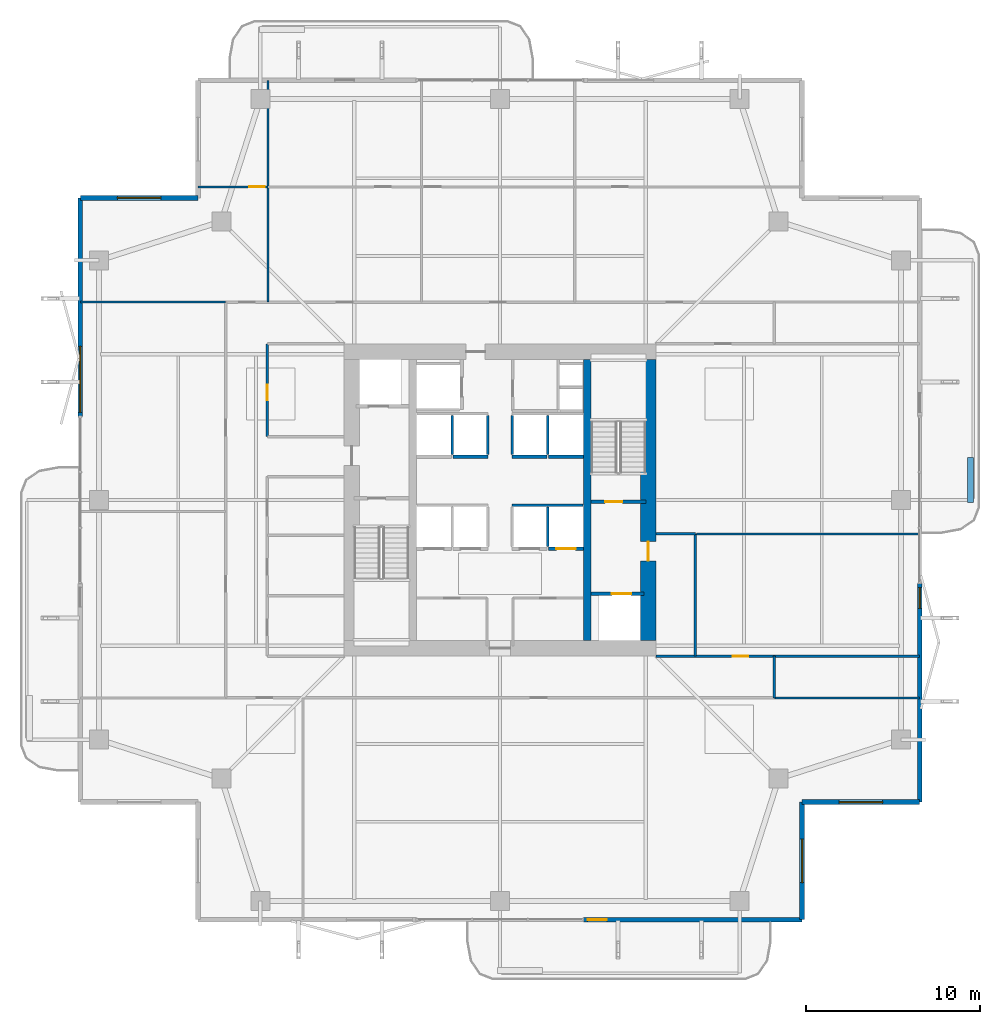
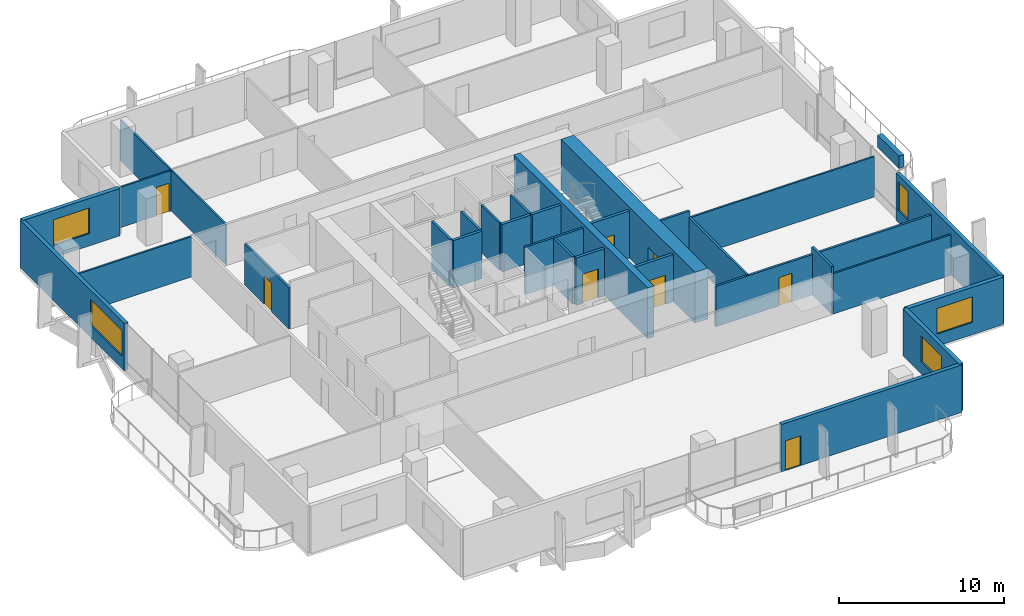
# One storey, part 19 of 24: 31 walls, 8 doors, 5 windows, 13 openings.
"""IFC4 building model written with IfcOpenShell, lengths in metres."""

from ifc_helpers import new_model, si_unit, direction, frame, frame_2d, origin, place, context, subcontext, project, spatial, rectangle, extrude, material, layer, layer_set, type_object, element, fill, save


model = new_model("IFC4")

# Units and contexts
model_context = context("Model", 3, precision=1e-05, world=origin(), true_north=direction((0.0, 1.0)))
body_context = subcontext(model_context, "Body", "Model", "MODEL_VIEW")
ifc_project = project(units=[si_unit("LENGTHUNIT", "METRE"), si_unit("AREAUNIT", "SQUARE_METRE"), si_unit("VOLUMEUNIT", "CUBIC_METRE"), si_unit("PLANEANGLEUNIT", "RADIAN"), si_unit("MASSUNIT", "GRAM", prefix="KILO")], contexts=[model_context])

# Site, building, storey
site_placement = place(None, origin())
site = spatial("IfcSite", under=ifc_project, at=site_placement, CompositionType="ELEMENT")
building_placement = place(site_placement, origin())
building = spatial("IfcBuilding", under=site, at=building_placement, Name="Belovzor Exchange Tower", CompositionType="ELEMENT")
storey_placement = place(building_placement, frame((0.0, 0.0, 145.800048828125)))
storey = spatial("IfcBuildingStorey", under=building, at=storey_placement, Name="L35", CompositionType="ELEMENT", Elevation=145.800048828125)

# Wall, opening, door
ifc_material_1 = material(Name="Acoustic Plasterboard on Galvanised Studs", Category="gypsum")
ifc_layer_1 = layer(ifc_material_1, 0.1201171875)
ifc_layer_set_1 = layer_set([ifc_layer_1], Name="Acoustic Plasterboard on Galvanised Studs")
wall_type_1 = type_object("IfcWallType", Name="Acoustic Double-Stud Partition Wall 120", PredefinedType="PARTITIONING", material=ifc_layer_set_1)
wall_1_placement = place(storey_placement, frame((11.39990234375, 46.833984375, 0.0), z_axis=(0.0, 0.0, 1.0), x_axis=(1.0, 0.0, 0.0)))
wall_1 = element("IfcWall", 1, at=wall_1_placement, inside=storey, type_object=wall_type_1, Name="W-P120 Partition Wall W-L35-NHDIV-0", PredefinedType="PARTITIONING", context=body_context, shape_type="SweptSolid", body=[
    extrude(rectangle(XDim=4.043212890625, YDim=0.1201171875, at=frame_2d((2.021484375, 0.0))), origin(), (0.0, 0.0, 1.0), 2.97998046875),
])
opening_1_placement = place(wall_1_placement, frame((2.943115234375, 0.0, 0.0)))
opening_1 = element("IfcOpeningElement", 2, at=opening_1_placement, cuts=wall_1, Name="Opening D-INT-090", PredefinedType="OPENING", context=body_context, shape_type="SweptSolid", body=[
    extrude(rectangle(XDim=0.89990234375, YDim=2.10009765625, at=frame_2d((0.449951171875, 1.050048828125))), frame((0.0, 0.070068359375, 0.0), z_axis=(0.0, -1.0, 0.0), x_axis=(1.0, 0.0, 0.0)), (0.0, 0.0, 1.0), 0.14013671875),
])
ifc_material_2 = material(Name="Veneered Hardwood Acoustic Leaf", Category="wood")
door_type_1 = type_object("IfcDoorType", Name="Trading Suite Acoustic Single Door 900x2100", OperationType="NOTDEFINED", PredefinedType="DOOR", material=ifc_material_2)
door_1_placement = place(opening_1_placement, origin())
door_1 = element("IfcDoor", 3, at=door_1_placement, inside=storey, type_object=door_type_1, Name="D-INT-090 Trading Suite Acoustic Single Door 900x2100", OperationType="SINGLE_SWING_RIGHT", OverallHeight=2.10009765625, OverallWidth=0.89990234375, PredefinedType="DOOR", context=body_context, shape_type="SweptSolid", body=[
    extrude(rectangle(XDim=0.89990234375, YDim=2.10009765625, at=frame_2d((0.449951171875, 1.050048828125))), frame((0.0, 0.02490234375, 0.0), z_axis=(0.0, -1.0, 0.0), x_axis=(1.0, 0.0, 0.0)), (0.0, 0.0, 1.0), 0.050048828125),
])
fill(opening_1, door_1)

# Walls
wall_2_placement = place(storey_placement, frame((15.443115234375, 40.199951171875, 0.0), z_axis=(0.0, 0.0, 1.0), x_axis=(0.0, 1.0, 0.0)))
element("IfcWall", 4, at=wall_2_placement, inside=storey, type_object=wall_type_1, Name="W-P120 Partition Wall W-L35-NDIV-1", PredefinedType="PARTITIONING", context=body_context, shape_type="SweptSolid", body=[
    extrude(rectangle(XDim=12.77001953125, YDim=0.1201171875, at=frame_2d((6.385009765625, 0.0))), origin(), (0.0, 0.0, 1.0), 2.97998046875),
])
wall_3_placement = place(storey_placement, frame((40.125, 26.85009765625, 0.0), z_axis=(0.0, 0.0, 1.0), x_axis=(1.0, 0.0, 0.0)))
element("IfcWall", 5, at=wall_3_placement, inside=storey, type_object=wall_type_1, Name="W-P120 Partition Wall W-L35-EDIV-1", PredefinedType="PARTITIONING", context=body_context, shape_type="SweptSolid", body=[
    extrude(rectangle(XDim=12.844970703125, YDim=0.1201171875, at=frame_2d((6.42236328125, 0.0))), origin(), (0.0, 0.0, 1.0), 2.97998046875),
])
wall_4_placement = place(storey_placement, frame((44.60009765625, 17.39990234375, 0.0), z_axis=(0.0, 0.0, 1.0), x_axis=(1.0, 0.0, 0.0)))
element("IfcWall", 6, at=wall_4_placement, inside=storey, type_object=wall_type_1, Name="W-P120 Partition Wall W-L35-END-SE", PredefinedType="PARTITIONING", context=body_context, shape_type="SweptSolid", body=[
    extrude(rectangle(XDim=8.369873046875, YDim=0.1201171875, at=frame_2d((4.18505859375, 0.0))), origin(), (0.0, 0.0, 1.0), 2.97998046875),
])
wall_5_placement = place(storey_placement, frame((4.6298828125, 40.199951171875, 0.0), z_axis=(0.0, 0.0, 1.0), x_axis=(1.0, 0.0, 0.0)))
element("IfcWall", 7, at=wall_5_placement, inside=storey, type_object=wall_type_1, Name="W-P120 Partition Wall W-L35-END-NW", PredefinedType="PARTITIONING", context=body_context, shape_type="SweptSolid", body=[
    extrude(rectangle(XDim=8.3701171875, YDim=0.1201171875, at=frame_2d((4.18505859375, 0.0))), origin(), (0.0, 0.0, 1.0), 2.97998046875),
])

# Wall, opening, door
ifc_material_3 = material(Name="Fire-Rated Gypsum Block and Mineral Wool", Category="gypsum")
ifc_layer_2 = layer(ifc_material_3, 0.14990234375)
ifc_layer_set_2 = layer_set([ifc_layer_2], Name="Fire-Rated Gypsum Block and Mineral Wool")
wall_type_2 = type_object("IfcWallType", Name="Fire-Rated Gypsum Block Corridor Wall 150", PredefinedType="PARTITIONING", material=ifc_layer_set_2)
wall_6_placement = place(storey_placement, frame((15.39990234375, 32.449951171875, 0.0), z_axis=(0.0, 0.0, 1.0), x_axis=(0.0, 1.0, 0.0)))
wall_6 = element("IfcWall", 8, at=wall_6_placement, inside=storey, type_object=wall_type_2, Name="W-P150 Partition Wall W-L35-WIE-N", PredefinedType="PARTITIONING", context=body_context, shape_type="SweptSolid", body=[
    extrude(rectangle(XDim=5.35009765625, YDim=0.14990234375, at=frame_2d((2.675048828125, 0.0))), origin(), (0.0, 0.0, 1.0), 3.030029296875),
])
opening_2_placement = place(wall_6_placement, frame((2.10009765625, 0.0, 0.0)))
opening_2 = element("IfcOpeningElement", 9, at=opening_2_placement, cuts=wall_6, Name="Opening D-FD60-090", PredefinedType="OPENING", context=body_context, shape_type="SweptSolid", body=[
    extrude(rectangle(XDim=0.89990234375, YDim=2.10009765625, at=frame_2d((0.449951171875, 1.050048828125))), frame((0.0, 0.0849609375, 0.0), z_axis=(0.0, -1.0, 0.0), x_axis=(1.0, 0.0, 0.0)), (0.0, 0.0, 1.0), 0.169921875),
])
ifc_material_4 = material(Name="Acoustic Timber Fire Leaf", Category="wood")
door_type_2 = type_object("IfcDoorType", Name="Core Service & Restroom Fire Door 900x2100", OperationType="NOTDEFINED", PredefinedType="DOOR", material=ifc_material_4)
door_2_placement = place(opening_2_placement, origin())
door_2 = element("IfcDoor", 10, at=door_2_placement, inside=storey, type_object=door_type_2, Name="D-FD60-090 Core Service & Restroom Fire Door 900x2100", OperationType="SINGLE_SWING_LEFT", OverallHeight=2.10009765625, OverallWidth=0.89990234375, PredefinedType="DOOR", context=body_context, shape_type="SweptSolid", body=[
    extrude(rectangle(XDim=0.89990234375, YDim=2.10009765625, at=frame_2d((0.449951171875, 1.050048828125))), frame((0.0, 0.02490234375, 0.0), z_axis=(0.0, -1.0, 0.0), x_axis=(1.0, 0.0, 0.0)), (0.0, 0.0, 1.0), 0.050048828125),
])
fill(opening_2, door_2)

# Walls
wall_7_placement = place(storey_placement, frame((37.800048828125, 26.85009765625, 0.0), z_axis=(0.0, 0.0, 1.0), x_axis=(1.0, 0.0, 0.0)))
element("IfcWall", 11, at=wall_7_placement, inside=storey, type_object=wall_type_2, Name="W-P150 Partition Wall W-L35-CFE-N", PredefinedType="PARTITIONING", context=body_context, shape_type="SweptSolid", body=[
    extrude(rectangle(XDim=2.25, YDim=0.14990234375, at=frame_2d((1.125, 0.0))), origin(), (0.0, 0.0, 1.0), 3.494873046875),
])
wall_8_placement = place(storey_placement, frame((40.050048828125, 19.800048828125, 0.0), z_axis=(0.0, 0.0, 1.0), x_axis=(0.0, 1.0, 0.0)))
element("IfcWall", 12, at=wall_8_placement, inside=storey, type_object=wall_type_2, Name="W-P150 Partition Wall W-L35-CFE-E", PredefinedType="PARTITIONING", context=body_context, shape_type="SweptSolid", body=[
    extrude(rectangle(XDim=7.050048828125, YDim=0.14990234375, at=frame_2d((3.52490234375, 0.0))), origin(), (0.0, 0.0, 1.0), 3.030029296875),
])
wall_9_placement = place(storey_placement, frame((44.60009765625, 17.39990234375, 0.0), z_axis=(0.0, 0.0, 1.0), x_axis=(0.0, 1.0, 0.0)))
element("IfcWall", 13, at=wall_9_placement, inside=storey, type_object=wall_type_2, Name="W-P150 Partition Wall W-L35-END-ES", PredefinedType="PARTITIONING", context=body_context, shape_type="SweptSolid", body=[
    extrude(rectangle(XDim=2.400146484375, YDim=0.14990234375, at=frame_2d((1.2001953125, 0.0))), origin(), (0.0, 0.0, 1.0), 3.494873046875),
])

# Wall, opening, door
wall_10_placement = place(storey_placement, frame((37.800048828125, 19.800048828125, 0.0), z_axis=(0.0, 0.0, 1.0), x_axis=(1.0, 0.0, 0.0)))
wall_10 = element("IfcWall", 14, at=wall_10_placement, inside=storey, type_object=wall_type_2, Name="W-P150 Partition Wall W-L35-CS-IN", PredefinedType="PARTITIONING", context=body_context, shape_type="SweptSolid", body=[
    extrude(rectangle(XDim=15.169921875, YDim=0.14990234375, at=frame_2d((7.5849609375, 0.0))), origin(), (0.0, 0.0, 1.0), 2.97998046875),
])
opening_3_placement = place(wall_10_placement, frame((4.39990234375, 0.0, 0.0)))
opening_3 = element("IfcOpeningElement", 15, at=opening_3_placement, cuts=wall_10, Name="Opening D-INT-090", PredefinedType="OPENING", context=body_context, shape_type="SweptSolid", body=[
    extrude(rectangle(XDim=0.89990234375, YDim=2.10009765625, at=frame_2d((0.449951171875, 1.050048828125))), frame((0.0, 0.0849609375, 0.0), z_axis=(0.0, -1.0, 0.0), x_axis=(1.0, 0.0, 0.0)), (0.0, 0.0, 1.0), 0.169921875),
])
door_3_placement = place(opening_3_placement, origin())
door_3 = element("IfcDoor", 16, at=door_3_placement, inside=storey, type_object=door_type_1, Name="D-INT-090 Trading Suite Acoustic Single Door 900x2100", OperationType="SINGLE_SWING_LEFT", OverallHeight=2.10009765625, OverallWidth=0.89990234375, PredefinedType="DOOR", context=body_context, shape_type="SweptSolid", body=[
    extrude(rectangle(XDim=0.89990234375, YDim=2.10009765625, at=frame_2d((0.449951171875, 1.050048828125))), frame((0.0, 0.02490234375, 0.0), z_axis=(0.0, -1.0, 0.0), x_axis=(1.0, 0.0, 0.0)), (0.0, 0.0, 1.0), 0.050048828125),
])
fill(opening_3, door_3)

# Wall, opening, window
ifc_material_5 = material(Name="Precast concrete C40/50", Category="concrete")
ifc_layer_3 = layer(ifc_material_5, 0.280029296875)
ifc_layer_set_3 = layer_set([ifc_layer_3], Name="Precast concrete C40/50")
wall_type_3 = type_object("IfcWallType", Name="Precast Concrete Notched Corner Frame Wall 280", PredefinedType="SOLIDWALL", material=ifc_layer_set_3)
wall_11_placement = place(storey_placement, frame((4.6298828125, 46.199951171875, 0.0), z_axis=(0.0, 0.0, 1.0), x_axis=(1.0, 0.0, 0.0)))
wall_11 = element("IfcWall", 17, at=wall_11_placement, inside=storey, type_object=wall_type_3, Name="W-CRN280 Precast Concrete Notched Corner Frame Wall 280 L35", PredefinedType="SOLIDWALL", context=body_context, shape_type="SweptSolid", body=[
    extrude(rectangle(XDim=6.77001953125, YDim=0.280029296875, at=frame_2d((3.385009765625, 0.0))), origin(), (0.0, 0.0, 1.0), 3.494873046875),
])
opening_4_placement = place(wall_11_placement, frame((2.135009765625, 0.0, 0.89990234375)))
opening_4 = element("IfcOpeningElement", 18, at=opening_4_placement, cuts=wall_11, Name="Opening WN-CRN250", PredefinedType="OPENING", context=body_context, shape_type="SweptSolid", body=[
    extrude(rectangle(XDim=2.5, YDim=1.89990234375, at=frame_2d((1.25, 0.949951171875))), frame((0.0, 0.14990234375, 0.0), z_axis=(0.0, -1.0, 0.0), x_axis=(1.0, 0.0, 0.0)), (0.0, 0.0, 1.0), 0.300048828125),
])
ifc_material_6 = material(Name="Thermally Broken Aluminium and Triple Glazing", Category="aluminium")
window_type_1 = type_object("IfcWindowType", Name="Streamline Moderne Corner Wrap Ribbon Window 2500x1900", PartitioningType="SINGLE_PANEL", PredefinedType="WINDOW", material=ifc_material_6)
window_1_placement = place(opening_4_placement, origin())
window_1 = element("IfcWindow", 19, at=window_1_placement, inside=storey, type_object=window_type_1, Name="WN-CRN250 Streamline Moderne Corner Wrap Ribbon Window 2500x1900", OverallHeight=1.89990234375, OverallWidth=2.5, PartitioningType="SINGLE_PANEL", PredefinedType="WINDOW", context=body_context, shape_type="SweptSolid", body=[
    extrude(rectangle(XDim=2.5, YDim=1.89990234375, at=frame_2d((1.25, 0.949951171875))), frame((0.0, 0.030029296875, 0.0), z_axis=(0.0, -1.0, 0.0), x_axis=(1.0, 0.0, 0.0)), (0.0, 0.0, 1.0), 0.06005859375),
])
fill(opening_4, window_1)

wall_12_placement = place(storey_placement, frame((52.969970703125, 11.39990234375, 0.0), z_axis=(0.0, 0.0, 1.0), x_axis=(-1.0, 0.0, 0.0)))
wall_12 = element("IfcWall", 20, at=wall_12_placement, inside=storey, type_object=wall_type_3, Name="W-CRN280 Precast Concrete Notched Corner Frame Wall 280 L35", PredefinedType="SOLIDWALL", context=body_context, shape_type="SweptSolid", body=[
    extrude(rectangle(XDim=6.77001953125, YDim=0.280029296875, at=frame_2d((3.385009765625, 0.0))), origin(), (0.0, 0.0, 1.0), 3.494873046875),
])
opening_5_placement = place(wall_12_placement, frame((2.135009765625, 0.0, 0.89990234375)))
opening_5 = element("IfcOpeningElement", 21, at=opening_5_placement, cuts=wall_12, Name="Opening WN-CRN250", PredefinedType="OPENING", context=body_context, shape_type="SweptSolid", body=[
    extrude(rectangle(XDim=2.5, YDim=1.89990234375, at=frame_2d((1.25, 0.949951171875))), frame((0.0, 0.14990234375, 0.0), z_axis=(0.0, -1.0, 0.0), x_axis=(1.0, 0.0, 0.0)), (0.0, 0.0, 1.0), 0.300048828125),
])
window_2_placement = place(opening_5_placement, origin())
window_2 = element("IfcWindow", 22, at=window_2_placement, inside=storey, type_object=window_type_1, Name="WN-CRN250 Streamline Moderne Corner Wrap Ribbon Window 2500x1900", OverallHeight=1.89990234375, OverallWidth=2.5, PartitioningType="SINGLE_PANEL", PredefinedType="WINDOW", context=body_context, shape_type="SweptSolid", body=[
    extrude(rectangle(XDim=2.5, YDim=1.89990234375, at=frame_2d((1.25, 0.949951171875))), frame((0.0, 0.030029296875, 0.0), z_axis=(0.0, -1.0, 0.0), x_axis=(1.0, 0.0, 0.0)), (0.0, 0.0, 1.0), 0.06005859375),
])
fill(opening_5, window_2)

wall_13_placement = place(storey_placement, frame((46.199951171875, 11.39990234375, 0.0), z_axis=(0.0, 0.0, 1.0), x_axis=(0.0, -1.0, 0.0)))
wall_13 = element("IfcWall", 23, at=wall_13_placement, inside=storey, type_object=wall_type_3, Name="W-CRN280 Precast Concrete Notched Corner Frame Wall 280 L35", PredefinedType="SOLIDWALL", context=body_context, shape_type="SweptSolid", body=[
    extrude(rectangle(XDim=6.77001953125, YDim=0.280029296875, at=frame_2d((3.385009765625, 0.0))), origin(), (0.0, 0.0, 1.0), 3.494873046875),
])
opening_6_placement = place(wall_13_placement, frame((2.135009765625, 0.0, 0.89990234375)))
opening_6 = element("IfcOpeningElement", 24, at=opening_6_placement, cuts=wall_13, Name="Opening WN-CRN250", PredefinedType="OPENING", context=body_context, shape_type="SweptSolid", body=[
    extrude(rectangle(XDim=2.5, YDim=1.89990234375, at=frame_2d((1.25, 0.949951171875))), frame((0.0, 0.14990234375, 0.0), z_axis=(0.0, -1.0, 0.0), x_axis=(1.0, 0.0, 0.0)), (0.0, 0.0, 1.0), 0.300048828125),
])
window_3_placement = place(opening_6_placement, origin())
window_3 = element("IfcWindow", 25, at=window_3_placement, inside=storey, type_object=window_type_1, Name="WN-CRN250 Streamline Moderne Corner Wrap Ribbon Window 2500x1900", OverallHeight=1.89990234375, OverallWidth=2.5, PartitioningType="SINGLE_PANEL", PredefinedType="WINDOW", context=body_context, shape_type="SweptSolid", body=[
    extrude(rectangle(XDim=2.5, YDim=1.89990234375, at=frame_2d((1.25, 0.949951171875))), frame((0.0, 0.030029296875, 0.0), z_axis=(0.0, -1.0, 0.0), x_axis=(1.0, 0.0, 0.0)), (0.0, 0.0, 1.0), 0.06005859375),
])
fill(opening_6, window_3)

# Wall, opening, door
ifc_material_7 = material(Name="Precast concrete C40/50", Category="concrete")
ifc_layer_4 = layer(ifc_material_7, 0.260009765625)
ifc_layer_set_4 = layer_set([ifc_layer_4], Name="Precast concrete C40/50")
wall_type_4 = type_object("IfcWallType", Name="Precast Concrete Perimeter Loggia Frame Wall 260", PredefinedType="SOLIDWALL", material=ifc_layer_set_4)
wall_14_placement = place(storey_placement, frame((46.199951171875, 4.6298828125, 0.0), z_axis=(0.0, 0.0, 1.0), x_axis=(-1.0, 0.0, 0.0)))
wall_14 = element("IfcWall", 26, at=wall_14_placement, inside=storey, type_object=wall_type_4, Name="W-EXT260 Precast Concrete Perimeter Loggia Frame Wall 260 L35", PredefinedType="SOLIDWALL", context=body_context, shape_type="SweptSolid", body=[
    extrude(rectangle(XDim=12.599853515625, YDim=0.260009765625, at=frame_2d((6.2998046875, 0.0))), origin(), (0.0, 0.0, 1.0), 3.494873046875),
])
opening_7_placement = place(wall_14_placement, frame((11.25, 0.0, 0.0)))
opening_7 = element("IfcOpeningElement", 27, at=opening_7_placement, cuts=wall_14, Name="Opening D-BAL110", PredefinedType="OPENING", context=body_context, shape_type="SweptSolid", body=[
    extrude(rectangle(XDim=1.10009765625, YDim=2.199951171875, at=frame_2d((0.550048828125, 1.10009765625))), frame((0.0, 0.139892578125, 0.0), z_axis=(0.0, -1.0, 0.0), x_axis=(1.0, 0.0, 0.0)), (0.0, 0.0, 1.0), 0.280029296875),
])
ifc_material_8 = material(Name="Thermally Broken Anodised Aluminium and Laminated Glass", Category="aluminium")
door_type_3 = type_object("IfcDoorType", Name="Planted Loggia Terrace Glazed Door 1100x2200", OperationType="SINGLE_SWING_LEFT", PredefinedType="DOOR", material=ifc_material_8)
door_4_placement = place(opening_7_placement, origin())
door_4 = element("IfcDoor", 28, at=door_4_placement, inside=storey, type_object=door_type_3, Name="D-BAL110 Balcony Terrace Door L35 S", OperationType="SINGLE_SWING_LEFT", OverallHeight=2.199951171875, OverallWidth=1.10009765625, PredefinedType="DOOR", context=body_context, shape_type="SweptSolid", body=[
    extrude(rectangle(XDim=1.10009765625, YDim=2.199951171875, at=frame_2d((0.550048828125, 1.10009765625))), frame((0.0, 0.02490234375, 0.0), z_axis=(0.0, -1.0, 0.0), x_axis=(1.0, 0.0, 0.0)), (0.0, 0.0, 1.0), 0.050048828125),
])
fill(opening_7, door_4)

# Wall, opening, window
wall_15_placement = place(storey_placement, frame((4.6298828125, 33.60009765625, 0.0), z_axis=(0.0, 0.0, 1.0), x_axis=(0.0, 1.0, 0.0)))
wall_15 = element("IfcWall", 29, at=wall_15_placement, inside=storey, type_object=wall_type_4, Name="W-EXT260 Precast Concrete Perimeter Loggia Frame Wall 260 L35", PredefinedType="SOLIDWALL", context=body_context, shape_type="SweptSolid", body=[
    extrude(rectangle(XDim=12.599853515625, YDim=0.260009765625, at=frame_2d((6.2998046875, 0.0))), origin(), (0.0, 0.0, 1.0), 3.494873046875),
])
opening_8_placement = place(wall_15_placement, frame((0.25, 0.0, 0.89990234375)))
opening_8 = element("IfcOpeningElement", 30, at=opening_8_placement, cuts=wall_15, Name="Opening WN-RIB380", PredefinedType="OPENING", context=body_context, shape_type="SweptSolid", body=[
    extrude(rectangle(XDim=3.800048828125, YDim=1.89990234375, at=frame_2d((1.89990234375, 0.949951171875))), frame((0.0, 0.139892578125, 0.0), z_axis=(0.0, -1.0, 0.0), x_axis=(1.0, 0.0, 0.0)), (0.0, 0.0, 1.0), 0.280029296875),
])
ifc_material_9 = material(Name="Thermally Broken Aluminium and Triple Glazing", Category="aluminium")
window_type_2 = type_object("IfcWindowType", Name="Streamline Moderne Horizontal Ribbon Window 3800x1900", PartitioningType="SINGLE_PANEL", PredefinedType="WINDOW", material=ifc_material_9)
window_4_placement = place(opening_8_placement, origin())
window_4 = element("IfcWindow", 31, at=window_4_placement, inside=storey, type_object=window_type_2, Name="WN-RIB380 Streamline Moderne Horizontal Ribbon Window 3800x1900", OverallHeight=1.89990234375, OverallWidth=3.800048828125, PartitioningType="SINGLE_PANEL", PredefinedType="WINDOW", context=body_context, shape_type="SweptSolid", body=[
    extrude(rectangle(XDim=3.800048828125, YDim=1.89990234375, at=frame_2d((1.89990234375, 0.949951171875))), frame((0.0, 0.030029296875, 0.0), z_axis=(0.0, -1.0, 0.0), x_axis=(1.0, 0.0, 0.0)), (0.0, 0.0, 1.0), 0.06005859375),
])
fill(opening_8, window_4)

wall_16_placement = place(storey_placement, frame((52.969970703125, 24.0, 0.0), z_axis=(0.0, 0.0, 1.0), x_axis=(0.0, -1.0, 0.0)))
wall_16 = element("IfcWall", 32, at=wall_16_placement, inside=storey, type_object=wall_type_4, Name="W-EXT260 Precast Concrete Perimeter Loggia Frame Wall 260 L35", PredefinedType="SOLIDWALL", context=body_context, shape_type="SweptSolid", body=[
    extrude(rectangle(XDim=12.60009765625, YDim=0.260009765625, at=frame_2d((6.300048828125, 0.0))), origin(), (0.0, 0.0, 1.0), 3.494873046875),
])
opening_9_placement = place(wall_16_placement, frame((0.25, 0.0, 0.89990234375)))
opening_9 = element("IfcOpeningElement", 33, at=opening_9_placement, cuts=wall_16, Name="Opening WN-CRN120", PredefinedType="OPENING", context=body_context, shape_type="SweptSolid", body=[
    extrude(rectangle(XDim=1.199951171875, YDim=2.10009765625, at=frame_2d((0.60009765625, 1.050048828125))), frame((0.0, 0.139892578125, 0.0), z_axis=(0.0, -1.0, 0.0), x_axis=(1.0, 0.0, 0.0)), (0.0, 0.0, 1.0), 0.280029296875),
])
ifc_material_10 = material(Name="Thermally Broken Aluminium and Triple Glazing", Category="aluminium")
window_type_3 = type_object("IfcWindowType", Name="Streamline Notched Corner Window 1200x2100", PartitioningType="SINGLE_PANEL", PredefinedType="WINDOW", material=ifc_material_10)
window_5_placement = place(opening_9_placement, origin())
window_5 = element("IfcWindow", 34, at=window_5_placement, inside=storey, type_object=window_type_3, Name="WN-CRN120 Streamline Notched Corner Window 1200x2100", OverallHeight=2.10009765625, OverallWidth=1.199951171875, PartitioningType="SINGLE_PANEL", PredefinedType="WINDOW", context=body_context, shape_type="SweptSolid", body=[
    extrude(rectangle(XDim=1.199951171875, YDim=2.10009765625, at=frame_2d((0.60009765625, 1.050048828125))), frame((0.0, 0.030029296875, 0.0), z_axis=(0.0, -1.0, 0.0), x_axis=(1.0, 0.0, 0.0)), (0.0, 0.0, 1.0), 0.06005859375),
])
fill(opening_9, window_5)

# Walls
ifc_material_11 = material(Name="Precast concrete C40/50", Category="concrete")
ifc_layer_5 = layer(ifc_material_11, 0.35009765625)
ifc_layer_set_5 = layer_set([ifc_layer_5], Name="Precast concrete C40/50")
wall_type_5 = type_object("IfcWallType", Name="Precast Concrete Structural Tree Planter Trough 350", PredefinedType="PARAPET", material=ifc_layer_set_5)
wall_17_placement = place(storey_placement, frame((55.89990234375, 28.64990234375, 0.0), z_axis=(0.0, 0.0, 1.0), x_axis=(0.0, 1.0, 0.0)))
element("IfcWall", 35, at=wall_17_placement, inside=storey, type_object=wall_type_5, Name="PT-350 Precast Concrete Structural Tree Planter Trough 350 L35", PredefinedType="PARAPET", context=body_context, shape_type="SweptSolid", body=[
    extrude(rectangle(XDim=2.60009765625, YDim=0.35009765625, at=frame_2d((1.300048828125, 0.0))), origin(), (0.0, 0.0, 1.0), 0.89990234375),
])
ifc_material_12 = material(Name="Concrete C50/60", Category="concrete")
ifc_layer_6 = layer(ifc_material_12, 0.449951171875)
ifc_layer_set_6 = layer_set([ifc_layer_6], Name="Concrete C50/60")
wall_type_6 = type_object("IfcWallType", Name="Reinforced Concrete Core Internal Web Wall 450", PredefinedType="SHEAR", material=ifc_layer_set_6)
wall_18_placement = place(storey_placement, frame((33.824951171875, 20.699951171875, 0.0), z_axis=(0.0, 0.0, 1.0), x_axis=(0.0, 1.0, 0.0)))
element("IfcWall", 36, at=wall_18_placement, inside=storey, type_object=wall_type_6, Name="CW-W045 Core Internal Web Wall L35 ER", PredefinedType="SHEAR", context=body_context, shape_type="SweptSolid", body=[
    extrude(rectangle(XDim=16.199951171875, YDim=0.449951171875, at=frame_2d((8.10009765625, 0.0))), origin(), (0.0, 0.0, 1.0), 3.75),
])
ifc_material_13 = material(Name="Concrete C50/60", Category="concrete")
ifc_layer_7 = layer(ifc_material_13, 0.14990234375)
ifc_layer_set_7 = layer_set([ifc_layer_7], Name="Concrete C50/60")
wall_type_7 = type_object("IfcWallType", Name="Reinforced Concrete Core Riser Shear Wall 150", PredefinedType="SHEAR", material=ifc_layer_set_7)
wall_19_placement = place(storey_placement, frame((29.5, 28.5, 0.0), z_axis=(0.0, 0.0, 1.0), x_axis=(1.0, 0.0, 0.0)))
element("IfcWall", 37, at=wall_19_placement, inside=storey, type_object=wall_type_7, Name="W-C150S Core Shaft Wall W-SHB-L35-PLM-NE", PredefinedType="SHEAR", context=body_context, shape_type="SweptSolid", body=[
    extrude(rectangle(XDim=4.080078125, YDim=0.14990234375, at=frame_2d((2.0400390625, 0.0))), origin(), (0.0, 0.0, 1.0), 3.494873046875),
])
wall_20_placement = place(storey_placement, frame((31.550048828125, 26.1201171875, 0.0), z_axis=(0.0, 0.0, 1.0), x_axis=(0.0, 1.0, 0.0)))
element("IfcWall", 38, at=wall_20_placement, inside=storey, type_object=wall_type_7, Name="W-C150S Core Shaft Wall W-SHD-L35-PLM-4", PredefinedType="SHEAR", context=body_context, shape_type="SweptSolid", body=[
    extrude(rectangle(XDim=2.27978515625, YDim=0.14990234375, at=frame_2d((1.139892578125, 0.0))), origin(), (0.0, 0.0, 1.0), 3.494873046875),
])
for number, where, z_axis, x_axis, name in (
    (39, (26.050048828125, 31.419921875, 0.0), (0.0, 0.0, 1.0), (0.0, 1.0, 0.0), "W-C150S Core Shaft Wall W-SHD-L35-PLH-1"),
    (40, (28.10009765625, 31.419921875, 0.0), (0.0, 0.0, 1.0), (0.0, 1.0, 0.0), "W-C150S Core Shaft Wall W-SHD-L35-PLH-2"),
    (41, (29.5, 31.419921875, 0.0), (0.0, 0.0, 1.0), (0.0, 1.0, 0.0), "W-C150S Core Shaft Wall W-SHD-L35-PLH-3"),
    (42, (31.550048828125, 31.419921875, 0.0), (0.0, 0.0, 1.0), (0.0, 1.0, 0.0), "W-C150S Core Shaft Wall W-SHD-L35-PLH-4"),
):
    element("IfcWall", number, at=place(storey_placement, frame(where, z_axis=z_axis, x_axis=x_axis)), inside=storey, type_object=wall_type_7, Name=name, PredefinedType="SHEAR", context=body_context, shape_type="SweptSolid", body=[
        extrude(rectangle(XDim=2.239990234375, YDim=0.14990234375, at=frame_2d((1.1201171875, 0.0))), origin(), (0.0, 0.0, 1.0), 3.494873046875),
    ])

# Wall, opening, door
ifc_material_14 = material(Name="Concrete C50/60", Category="concrete")
ifc_layer_8 = layer(ifc_material_14, 0.199951171875)
ifc_layer_set_8 = layer_set([ifc_layer_8], Name="Concrete C50/60")
wall_type_8 = type_object("IfcWallType", Name="Reinforced Concrete Core Shaft Shear Wall 200", PredefinedType="SHEAR", material=ifc_layer_set_8)
wall_21_placement = place(storey_placement, frame((34.050048828125, 28.699951171875, 0.0), z_axis=(0.0, 0.0, 1.0), x_axis=(1.0, 0.0, 0.0)))
wall_21 = element("IfcWall", 43, at=wall_21_placement, inside=storey, type_object=wall_type_8, Name="W-C200S Core Shaft Wall W-CORE-L35-FFLE2", PredefinedType="SHEAR", context=body_context, shape_type="SweptSolid", body=[
    extrude(rectangle(XDim=3.14990234375, YDim=0.199951171875, at=frame_2d((1.574951171875, 0.0))), origin(), (0.0, 0.0, 1.0), 3.494873046875),
])
opening_10_placement = place(wall_21_placement, frame((0.800048828125, 0.0, 0.0)))
opening_10 = element("IfcOpeningElement", 44, at=opening_10_placement, cuts=wall_21, Name="Opening D-FD90-100", PredefinedType="OPENING", context=body_context, shape_type="SweptSolid", body=[
    extrude(rectangle(XDim=1.0, YDim=2.10009765625, at=frame_2d((0.5, 1.050048828125))), frame((0.0, 0.10986328125, 0.0), z_axis=(0.0, -1.0, 0.0), x_axis=(1.0, 0.0, 0.0)), (0.0, 0.0, 1.0), 0.219970703125),
])
ifc_material_15 = material(Name="Fire-Rated Galvanised Steel Leaf", Category="steel")
door_type_4 = type_object("IfcDoorType", Name="Protected Stairwell Single Fire Door 1000x2100", OperationType="NOTDEFINED", PredefinedType="DOOR", material=ifc_material_15)
door_5_placement = place(opening_10_placement, origin())
door_5 = element("IfcDoor", 45, at=door_5_placement, inside=storey, type_object=door_type_4, Name="D-FD90-100 Protected Stairwell Single Fire Door 1000x2100", OperationType="SINGLE_SWING_LEFT", OverallHeight=2.10009765625, OverallWidth=1.0, PredefinedType="DOOR", context=body_context, shape_type="SweptSolid", body=[
    extrude(rectangle(XDim=1.0, YDim=2.10009765625, at=frame_2d((0.5, 1.050048828125))), frame((0.0, 0.02490234375, 0.0), z_axis=(0.0, -1.0, 0.0), x_axis=(1.0, 0.0, 0.0)), (0.0, 0.0, 1.0), 0.050048828125),
])
fill(opening_10, door_5)

wall_22_placement = place(storey_placement, frame((34.050048828125, 23.39990234375, 0.0), z_axis=(0.0, 0.0, 1.0), x_axis=(1.0, 0.0, 0.0)))
wall_22 = element("IfcWall", 46, at=wall_22_placement, inside=storey, type_object=wall_type_8, Name="W-C200S Core Shaft Wall W-SH-L35-FFL-02", PredefinedType="SHEAR", context=body_context, shape_type="SweptSolid", body=[
    extrude(rectangle(XDim=3.050048828125, YDim=0.199951171875, at=frame_2d((1.52490234375, 0.0))), origin(), (0.0, 0.0, 1.0), 3.494873046875),
])
opening_11_placement = place(wall_22_placement, frame((1.199951171875, 0.0, 0.0)))
opening_11 = element("IfcOpeningElement", 47, at=opening_11_placement, cuts=wall_22, Name="Opening LD-110", PredefinedType="OPENING", context=body_context, shape_type="SweptSolid", body=[
    extrude(rectangle(XDim=1.10009765625, YDim=2.14990234375, at=frame_2d((0.550048828125, 1.074951171875))), frame((0.0, 0.10986328125, 0.0), z_axis=(0.0, -1.0, 0.0), x_axis=(1.0, 0.0, 0.0)), (0.0, 0.0, 1.0), 0.219970703125),
])
ifc_material_16 = material(Name="Stainless Steel Grade 304", Category="steel")
door_type_5 = type_object("IfcDoorType", Name="Automated Stainless Steel Lift Landing Door 1100x2150", OperationType="SLIDING_TO_RIGHT", PredefinedType="DOOR", material=ifc_material_16)
door_6_placement = place(opening_11_placement, origin())
door_6 = element("IfcDoor", 48, at=door_6_placement, inside=storey, type_object=door_type_5, Name="LD-110 Automated Stainless Steel Lift Landing Door 1100x2150", OperationType="SLIDING_TO_RIGHT", OverallHeight=2.14990234375, OverallWidth=1.10009765625, PredefinedType="DOOR", context=body_context, shape_type="SweptSolid", body=[
    extrude(rectangle(XDim=1.10009765625, YDim=2.14990234375, at=frame_2d((0.550048828125, 1.074951171875))), frame((0.0, 0.02490234375, 0.0), z_axis=(0.0, -1.0, 0.0), x_axis=(1.0, 0.0, 0.0)), (0.0, 0.0, 1.0), 0.050048828125),
])
fill(opening_11, door_6)

wall_23_placement = place(storey_placement, frame((31.60009765625, 26.0, 0.0), z_axis=(0.0, 0.0, 1.0), x_axis=(1.0, 0.0, 0.0)))
wall_23 = element("IfcWall", 49, at=wall_23_placement, inside=storey, type_object=wall_type_8, Name="W-C200S Core Shaft Wall W-SH-L35-PL-M4", PredefinedType="SHEAR", context=body_context, shape_type="SweptSolid", body=[
    extrude(rectangle(XDim=2.0, YDim=0.199951171875, at=frame_2d((1.0, 0.0))), origin(), (0.0, 0.0, 1.0), 3.494873046875),
])
opening_12_placement = place(wall_23_placement, frame((0.449951171875, 0.0, 0.0)))
opening_12 = element("IfcOpeningElement", 50, at=opening_12_placement, cuts=wall_23, Name="Opening LD-110", PredefinedType="OPENING", context=body_context, shape_type="SweptSolid", body=[
    extrude(rectangle(XDim=1.10009765625, YDim=2.14990234375, at=frame_2d((0.550048828125, 1.074951171875))), frame((0.0, 0.10986328125, 0.0), z_axis=(0.0, -1.0, 0.0), x_axis=(1.0, 0.0, 0.0)), (0.0, 0.0, 1.0), 0.219970703125),
])
door_7_placement = place(opening_12_placement, origin())
door_7 = element("IfcDoor", 51, at=door_7_placement, inside=storey, type_object=door_type_5, Name="LD-110 Automated Stainless Steel Lift Landing Door 1100x2150", OperationType="SLIDING_TO_RIGHT", OverallHeight=2.14990234375, OverallWidth=1.10009765625, PredefinedType="DOOR", context=body_context, shape_type="SweptSolid", body=[
    extrude(rectangle(XDim=1.10009765625, YDim=2.14990234375, at=frame_2d((0.550048828125, 1.074951171875))), frame((0.0, 0.02490234375, 0.0), z_axis=(0.0, -1.0, 0.0), x_axis=(1.0, 0.0, 0.0)), (0.0, 0.0, 1.0), 0.050048828125),
])
fill(opening_12, door_7)

# Walls
for number, where, z_axis, x_axis, name in (
    (52, (26.10009765625, 31.300048828125, 0.0), (0.0, 0.0, 1.0), (1.0, 0.0, 0.0), "W-C200S Core Shaft Wall W-SH-L35-PL-H2"),
    (53, (29.5, 31.300048828125, 0.0), (0.0, 0.0, 1.0), (1.0, 0.0, 0.0), "W-C200S Core Shaft Wall W-SH-L35-PL-H3"),
    (54, (31.60009765625, 31.300048828125, 0.0), (0.0, 0.0, 1.0), (1.0, 0.0, 0.0), "W-C200S Core Shaft Wall W-SH-L35-PL-H4"),
):
    element("IfcWall", number, at=place(storey_placement, frame(where, z_axis=z_axis, x_axis=x_axis)), inside=storey, type_object=wall_type_8, Name=name, PredefinedType="SHEAR", context=body_context, shape_type="SweptSolid", body=[
        extrude(rectangle(XDim=2.0, YDim=0.199951171875, at=frame_2d((1.0, 0.0))), origin(), (0.0, 0.0, 1.0), 3.494873046875),
    ])

# Wall, opening, door
ifc_material_17 = material(Name="Concrete C60/75", Category="concrete")
ifc_layer_9 = layer(ifc_material_17, 0.89990234375)
ifc_layer_set_9 = layer_set([ifc_layer_9], Name="Concrete C60/75")
wall_type_9 = type_object("IfcWallType", Name="Reinforced Concrete Core Shear Wall 900", PredefinedType="SHEAR", material=ifc_layer_set_9)
wall_24_placement = place(storey_placement, frame((37.35009765625, 20.699951171875, 0.0), z_axis=(0.0, 0.0, 1.0), x_axis=(0.0, 1.0, 0.0)))
wall_24 = element("IfcWall", 55, at=wall_24_placement, inside=storey, type_object=wall_type_9, Name="CW-S090 Core Shear Wall L35 E", PredefinedType="SHEAR", context=body_context, shape_type="SweptSolid", body=[
    extrude(rectangle(XDim=16.199951171875, YDim=0.89990234375, at=frame_2d((8.10009765625, 0.0))), origin(), (0.0, 0.0, 1.0), 3.75),
])
opening_13_placement = place(wall_24_placement, frame((4.60009765625, 0.0, 0.0)))
opening_13 = element("IfcOpeningElement", 56, at=opening_13_placement, cuts=wall_24, Name="Opening D-FD90-110", PredefinedType="OPENING", context=body_context, shape_type="SweptSolid", body=[
    extrude(rectangle(XDim=1.10009765625, YDim=2.14990234375, at=frame_2d((0.550048828125, 1.074951171875))), frame((0.0, 0.4599609375, 0.0), z_axis=(0.0, -1.0, 0.0), x_axis=(1.0, 0.0, 0.0)), (0.0, 0.0, 1.0), 0.919921875),
])
ifc_material_18 = material(Name="Fire-Rated Galvanised Steel Leaf", Category="steel")
door_type_6 = type_object("IfcDoorType", Name="Protected Escape Vestibule Fire Door 1100x2150", OperationType="NOTDEFINED", PredefinedType="DOOR", material=ifc_material_18)
door_8_placement = place(opening_13_placement, origin())
door_8 = element("IfcDoor", 57, at=door_8_placement, inside=storey, type_object=door_type_6, Name="D-FD90-110 Protected Escape Vestibule Fire Door 1100x2150", OperationType="SINGLE_SWING_RIGHT", OverallHeight=2.14990234375, OverallWidth=1.10009765625, PredefinedType="DOOR", context=body_context, shape_type="SweptSolid", body=[
    extrude(rectangle(XDim=1.10009765625, YDim=2.14990234375, at=frame_2d((0.550048828125, 1.074951171875))), frame((0.0, 0.02490234375, 0.0), z_axis=(0.0, -1.0, 0.0), x_axis=(1.0, 0.0, 0.0)), (0.0, 0.0, 1.0), 0.050048828125),
])
fill(opening_13, door_8)

save(model, "model.ifc")
